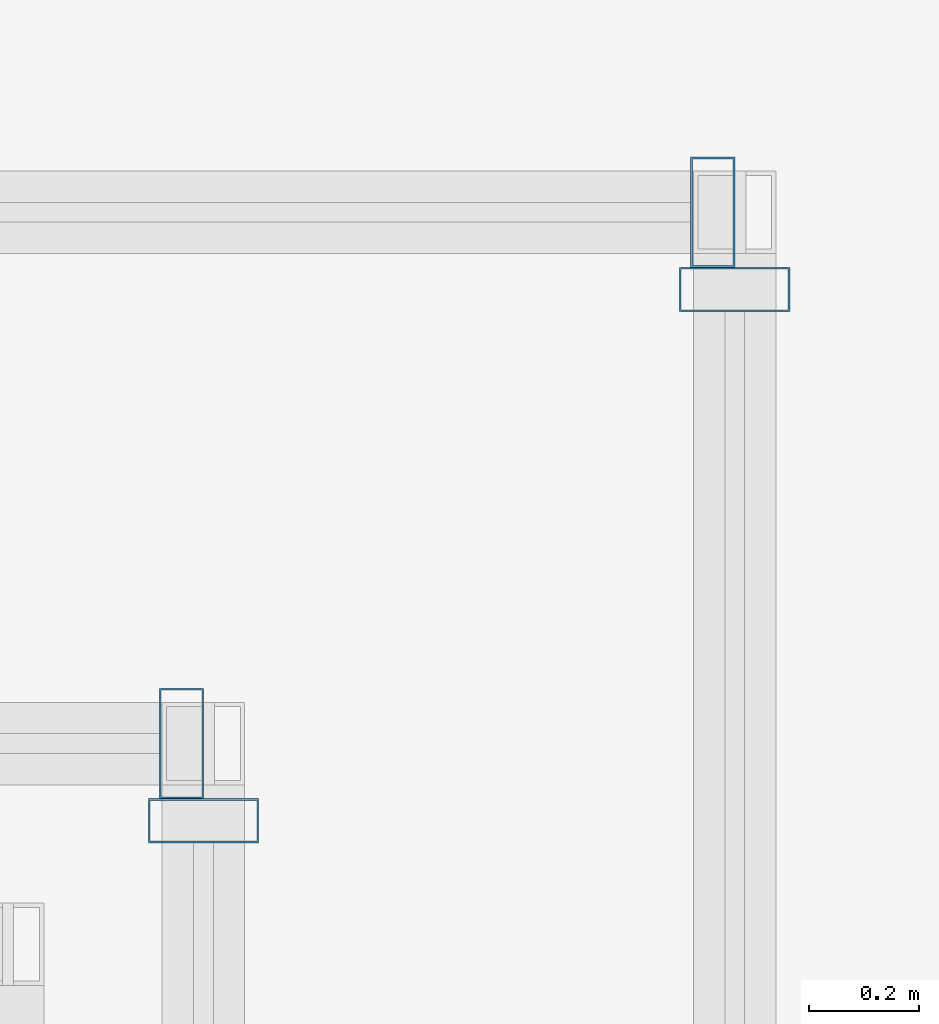
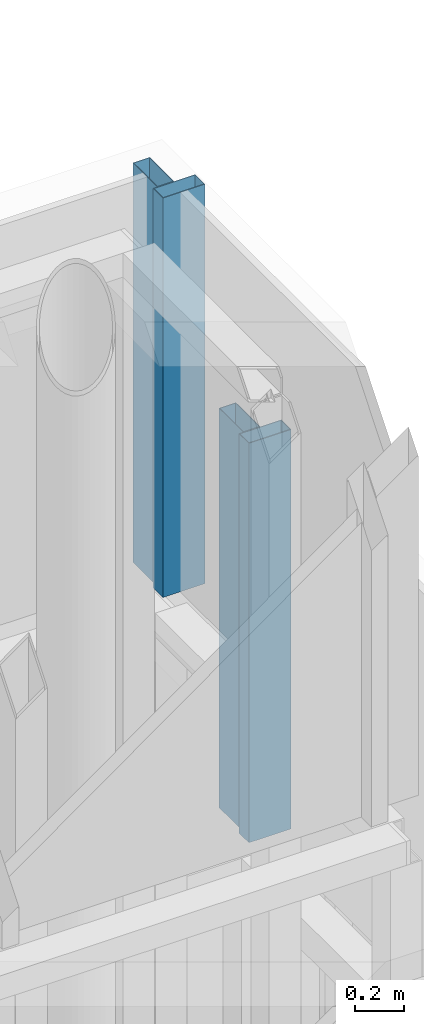
# One storey, part 49 of 62: 4 members, 4 elements without a shape of their own.
"""IFC4 building model written with IfcOpenShell, lengths in metres."""

from ifc_helpers import new_model, si_unit, direction, frame, origin, origin_2d, place, context, subcontext, project, spatial, hollow_rectangle, extrude, material, material_profile, profile_set, type_object, element, aggregate, save


model = new_model("IFC4")

# Units and contexts
model_context = context("Model", 3, precision=1e-05, world=origin(), true_north=direction((0.0, 1.0)))
body_context = subcontext(model_context, "Body", "Model", "MODEL_VIEW")
ifc_project = project(units=[si_unit("LENGTHUNIT", "METRE"), si_unit("AREAUNIT", "SQUARE_METRE"), si_unit("VOLUMEUNIT", "CUBIC_METRE"), si_unit("PLANEANGLEUNIT", "RADIAN"), si_unit("MASSUNIT", "GRAM", prefix="KILO")], contexts=[model_context])

# Site, building, storey
site_placement = place(None, origin())
site = spatial("IfcSite", under=ifc_project, at=site_placement, CompositionType="ELEMENT")
building_placement = place(site_placement, origin())
building = spatial("IfcBuilding", under=site, at=building_placement, Name="Altepetl Exchange Towers", CompositionType="ELEMENT")
storey_placement = place(building_placement, frame((0.0, 0.0, 210.0)))
storey = spatial("IfcBuildingStorey", under=building, at=storey_placement, Name="L53", CompositionType="ELEMENT", Elevation=210.0)

# Curtain wall, member
ifc_material_1 = material(Name="Aluminium 6063-T6 glazing", Category="aluminium")
curtain_wall_type = type_object("IfcCurtainWallType", Name="Crown glazing system", PredefinedType="NOTDEFINED", material=ifc_material_1)
curtain_wall_1_placement = place(storey_placement, origin())
curtain_wall_1 = element("IfcCurtainWall", 1, at=curtain_wall_1_placement, inside=storey, type_object=curtain_wall_type, Name="CW7 run", PredefinedType="NOTDEFINED")
ifc_material_2 = material(Name="Aluminium 6063-T6", Category="aluminium")
ifc_material_profile = material_profile(ifc_material_2, hollow_rectangle(XDim=0.080078125, YDim=0.199951171875, WallThickness=0.0029296875, at=origin_2d()), Name="Mullion 80x200 hollow aluminium")
ifc_profile_set = profile_set([ifc_material_profile], Name="Aluminium 6063-T6")
member_type = type_object("IfcMemberType", Name="Mullion 80x200 hollow aluminium", PredefinedType="MULLION", material=ifc_profile_set)
member_1_placement = place(storey_placement, frame((112.178466796875, 44.53857421875, 12.199951171875), z_axis=(0.0, 0.0, 1.0), x_axis=(0.0, 1.0, 0.0)))
member_1 = element("IfcMember", 2, at=member_1_placement, type_object=member_type, Name="MU5 mullion", PredefinedType="MULLION", context=body_context, shape_type="SweptSolid", body=[
    extrude(hollow_rectangle(XDim=0.080078125, YDim=0.199951171875, WallThickness=0.0029296875, at=origin_2d()), origin(), (0.0, 0.0, 1.0), 2.0),
])
aggregate(curtain_wall_1, [member_1])

curtain_wall_2_placement = place(storey_placement, origin())
curtain_wall_2 = element("IfcCurtainWall", 3, at=curtain_wall_2_placement, inside=storey, type_object=curtain_wall_type, Name="CW7 run", PredefinedType="NOTDEFINED")
member_2_placement = place(storey_placement, frame((112.138671875, 44.678466796875, 12.199951171875), z_axis=(0.0, 0.0, 1.0), x_axis=(-1.0, 0.0, 0.0)))
member_2 = element("IfcMember", 4, at=member_2_placement, type_object=member_type, Name="MU5 mullion", PredefinedType="MULLION", context=body_context, shape_type="SweptSolid", body=[
    extrude(hollow_rectangle(XDim=0.080078125, YDim=0.199951171875, WallThickness=0.0029296875, at=origin_2d()), origin(), (0.0, 0.0, 1.0), 2.0),
])
aggregate(curtain_wall_2, [member_2])

curtain_wall_3_placement = place(storey_placement, origin())
curtain_wall_3 = element("IfcCurtainWall", 5, at=curtain_wall_3_placement, inside=storey, type_object=curtain_wall_type, Name="CW7 run", PredefinedType="NOTDEFINED")
member_3_placement = place(storey_placement, frame((111.21435546875, 43.57421875, 14.35009765625), z_axis=(0.0, 0.0, 1.0), x_axis=(0.0, 1.0, 0.0)))
member_3 = element("IfcMember", 6, at=member_3_placement, type_object=member_type, Name="MU5 mullion", PredefinedType="MULLION", context=body_context, shape_type="SweptSolid", body=[
    extrude(hollow_rectangle(XDim=0.080078125, YDim=0.199951171875, WallThickness=0.0029296875, at=origin_2d()), origin(), (0.0, 0.0, 1.0), 2.0),
])
aggregate(curtain_wall_3, [member_3])

curtain_wall_4_placement = place(storey_placement, origin())
curtain_wall_4 = element("IfcCurtainWall", 7, at=curtain_wall_4_placement, inside=storey, type_object=curtain_wall_type, Name="CW7 run", PredefinedType="NOTDEFINED")
member_4_placement = place(storey_placement, frame((111.17431640625, 43.71435546875, 14.35009765625), z_axis=(0.0, 0.0, 1.0), x_axis=(-1.0, 0.0, 0.0)))
member_4 = element("IfcMember", 8, at=member_4_placement, type_object=member_type, Name="MU5 mullion", PredefinedType="MULLION", context=body_context, shape_type="SweptSolid", body=[
    extrude(hollow_rectangle(XDim=0.080078125, YDim=0.199951171875, WallThickness=0.0029296875, at=origin_2d()), origin(), (0.0, 0.0, 1.0), 2.0),
])
aggregate(curtain_wall_4, [member_4])

save(model, "model.ifc")
